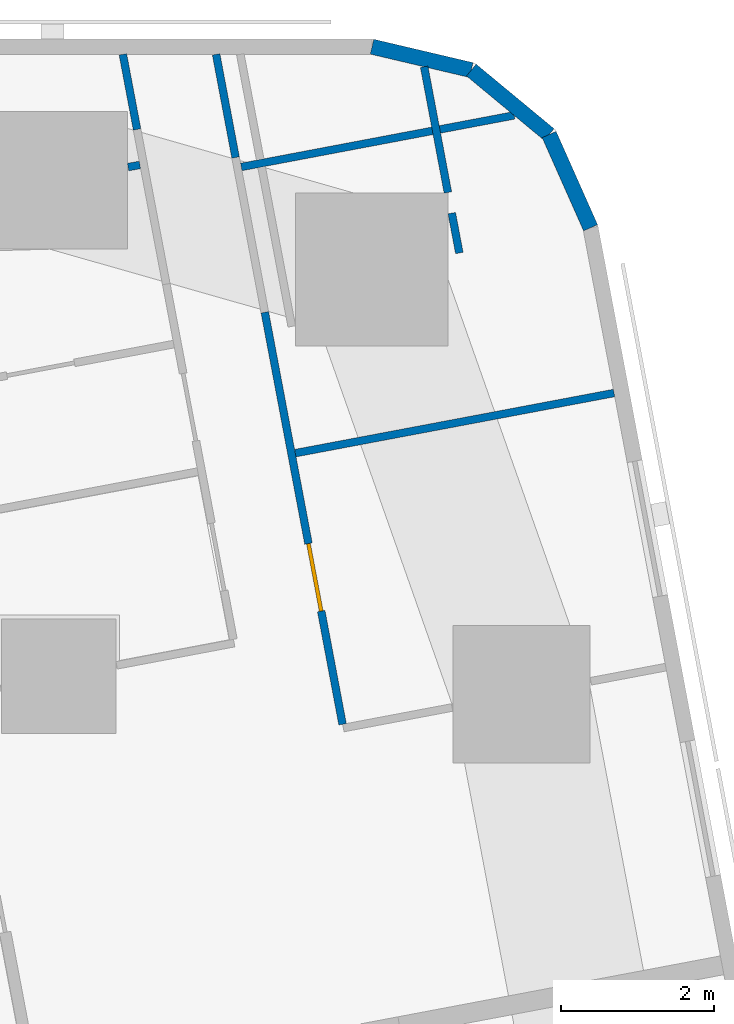
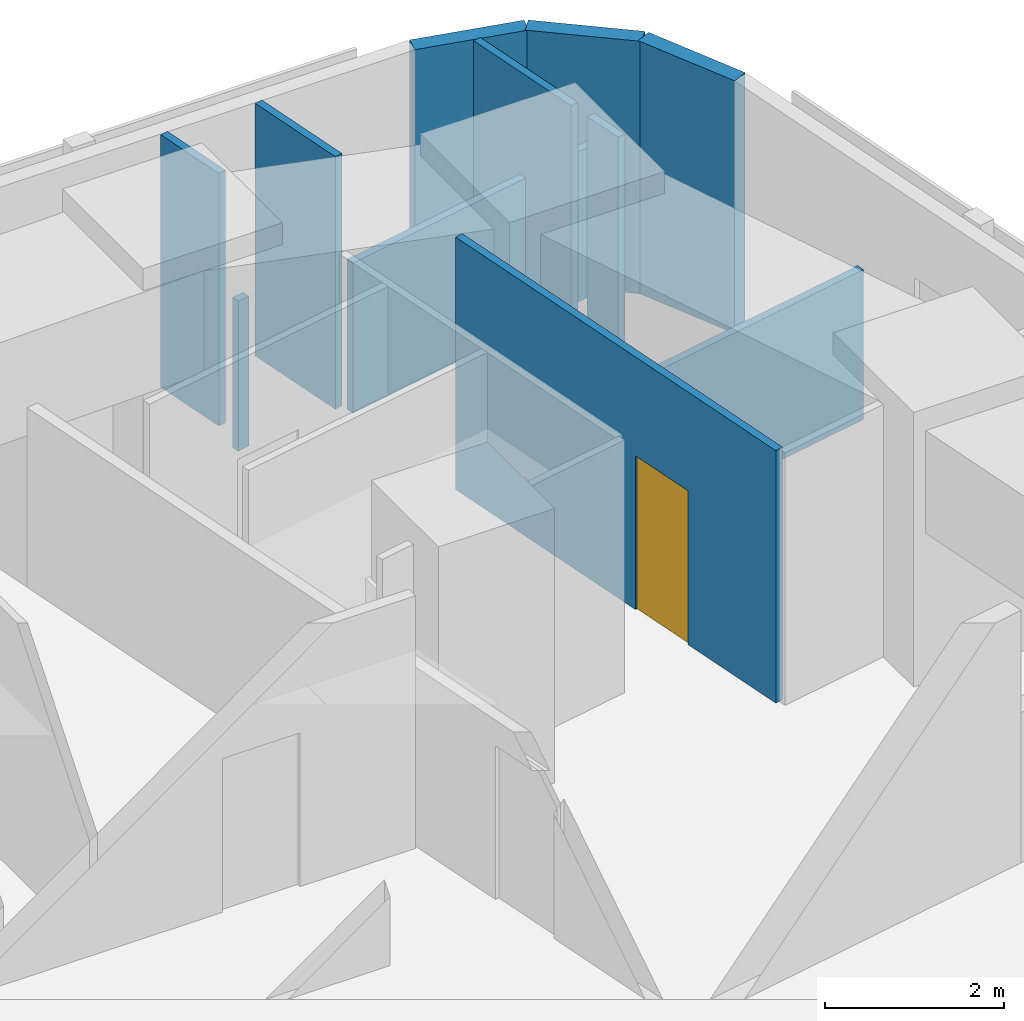
# One storey, part 11 of 15: 11 walls, 1 door, 1 opening.
"""IFC4 building model written with IfcOpenShell, lengths in metres."""

import ifcopenshell
import ifcopenshell.guid

model = None  # the IFC model being written
_history = None  # IfcOwnerHistory: only IFC2X3 demands one
_inside = {}  # id of a spatial element -> (the spatial element, [elements in it])
_under = {}  # id of a project, library or spatial element -> (it, [spatial elements below it])
_declared = {}  # id of a project -> (the project, [libraries it declares])
_typed = {}  # id of a type object -> (the type object, [elements of that type])
_made_of = {}  # id of a material, layer set ... -> (it, [elements and type objects made of it])


def new_model(schema):
    """Start an empty IFC model of exactly this schema.

    Asked for "IFC4X3", IfcOpenShell would pick the latest addendum, in which some entities
    have other attributes; the version numbers below select the first issue.
    IFC2X3 requires an IfcOwnerHistory on every rooted entity: one is made here for all.
    """
    global model, _history
    if schema == "IFC4X3":
        model = ifcopenshell.file(schema_version=(4, 3, 0, 0))
    else:
        model = ifcopenshell.file(schema=schema)
    _inside.clear()
    _under.clear()
    _declared.clear()
    _typed.clear()
    _made_of.clear()
    _history = None
    if model.schema == "IFC2X3":
        org = make("IfcOrganization", Name="unknown")
        user = make(
            "IfcPersonAndOrganization",
            ThePerson=make("IfcPerson", FamilyName="unknown"),
            TheOrganization=org,
        )
        app = make(
            "IfcApplication",
            ApplicationDeveloper=org,
            Version="unknown",
            ApplicationFullName="unknown",
            ApplicationIdentifier="unknown",
        )
        _history = make(
            "IfcOwnerHistory",
            OwningUser=user,
            OwningApplication=app,
            ChangeAction="ADDED",
            CreationDate=0,
        )
    return model


def make(cls, **values):
    """One entity of the class cls with the attributes given. An attribute that is None is left unset."""
    return model.create_entity(
        cls, **{name: value for name, value in values.items() if value is not None}
    )


def rooted(cls, **values):
    """An entity with a GlobalId (a new one), such as an element, a storey or a relation."""
    return make(cls, GlobalId=ifcopenshell.guid.new(), OwnerHistory=_history, **values)


def si_unit(unit_type, name, prefix=None):
    """IfcSIUnit, for example si_unit("LENGTHUNIT", "METRE", prefix="MILLI")."""
    return make("IfcSIUnit", UnitType=unit_type, Prefix=prefix, Name=name)


def assignment(units):
    """IfcUnitAssignment: the units of a project."""
    return None if units is None else make("IfcUnitAssignment", Units=units)


def point(xyz):
    """IfcCartesianPoint."""
    return None if xyz is None else make("IfcCartesianPoint", Coordinates=xyz)


def direction(xyz):
    """IfcDirection."""
    return None if xyz is None else make("IfcDirection", DirectionRatios=xyz)


def frame(location, z_axis=None, x_axis=None):
    """IfcAxis2Placement3D, a coordinate frame: its origin and axes. An axis left out is left unset."""
    return make(
        "IfcAxis2Placement3D",
        Location=point(location),
        Axis=direction(z_axis),
        RefDirection=direction(x_axis),
    )


def frame_2d(location, x_axis=None):
    """IfcAxis2Placement2D, a coordinate frame in the plane: its origin and x axis."""
    return make(
        "IfcAxis2Placement2D", Location=point(location), RefDirection=direction(x_axis)
    )


def origin():
    """The frame at (0, 0, 0) with its axes left unset."""
    return frame((0.0, 0.0, 0.0))


def place(relative_to, where):
    """IfcLocalPlacement: puts the frame where relative to a parent placement (None: the world)."""
    return make(
        "IfcLocalPlacement", PlacementRelTo=relative_to, RelativePlacement=where
    )


def context(
    kind, dimensions, precision=None, world=None, true_north=None, identifier=None
):
    """IfcGeometricRepresentationContext, for example the 3D "Model" context."""
    return make(
        "IfcGeometricRepresentationContext",
        ContextIdentifier=identifier,
        ContextType=kind,
        CoordinateSpaceDimension=dimensions,
        Precision=precision,
        WorldCoordinateSystem=world,
        TrueNorth=true_north,
    )


def subcontext(parent, identifier, kind, view, scale=None):
    """IfcGeometricRepresentationSubContext, for example "Body" below "Model"."""
    return make(
        "IfcGeometricRepresentationSubContext",
        ContextIdentifier=identifier,
        ContextType=kind,
        ParentContext=parent,
        TargetScale=scale,
        TargetView=view,
    )


def project(units=None, contexts=None):
    """IfcProject with its units and contexts."""
    return rooted(
        "IfcProject",
        Name="project",
        RepresentationContexts=contexts,
        UnitsInContext=assignment(units),
    )


def spatial(cls, under=None, at=None, **own):
    """A site, building, storey or space (cls), placed at a placement, below another one or the project."""
    s = rooted(cls, ObjectPlacement=at, **own)
    if under is not None:
        _under.setdefault(under.id(), (under, []))[1].append(s)
    return s


def profile(cls, at=None, kind="AREA", **sizes):
    """A parametric profile (cls). Its sizes go by their IFC names, for example OverallWidth=200.0."""
    return make(cls, ProfileType=kind, Position=at, **sizes)


def rectangle(**sizes):
    """IfcRectangleProfileDef."""
    return profile("IfcRectangleProfileDef", **sizes)


def extrude(swept, where, along, depth):
    """IfcExtrudedAreaSolid: the profile swept, set in the frame where, extruded along a direction by depth."""
    return make(
        "IfcExtrudedAreaSolid",
        SweptArea=swept,
        Position=where,
        ExtrudedDirection=direction(along),
        Depth=depth,
    )


def shape(context_of_items, identifier, shape_type, items):
    """IfcShapeRepresentation: the items that make up one representation, for example the "Body"."""
    return make(
        "IfcShapeRepresentation",
        ContextOfItems=context_of_items,
        RepresentationIdentifier=identifier,
        RepresentationType=shape_type,
        Items=items,
    )


def material(Name=None, Category=None):
    """IfcMaterial."""
    return make("IfcMaterial", Name=Name, Category=Category)


def layer(
    of_material, thickness, ventilated=None, Name=None, Category=None, Priority=None
):
    """IfcMaterialLayer: one layer of a wall or slab, of a material (None: an air gap)."""
    return make(
        "IfcMaterialLayer",
        Material=of_material,
        LayerThickness=thickness,
        IsVentilated=ventilated,
        Name=Name,
        Category=Category,
        Priority=Priority,
    )


def layer_set(layers, Name=None):
    """IfcMaterialLayerSet."""
    return make("IfcMaterialLayerSet", MaterialLayers=layers, LayerSetName=Name)


def made_of(thing, what):
    """Note that an element or type object is made of a material, layer set ...; save() writes the relation."""
    if what is not None:
        _made_of.setdefault(what.id(), (what, []))[1].append(thing)
    return thing


def type_object(cls, material=None, **own):
    """A type object (cls), such as IfcWallType, which elements share."""
    return made_of(rooted(cls, **own), material)


def element(
    cls,
    number,
    at=None,
    inside=None,
    cuts=None,
    type_object=None,
    material=None,
    context=None,
    identifier="Body",
    shape_type=None,
    held_by="IfcProductDefinitionShape",
    body=None,
    shapes=None,
    **own,
):
    """One element of the class cls, such as IfcWall. Its Tag is "e" and its number.

    at: its placement. inside: the storey or other place that contains it. cuts: it is an
    opening in that element (IfcRelVoidsElement). A single representation is given by context,
    identifier, shape_type and body (its items); several are given by shapes. held_by: the class
    of the entity that holds the representations. save() writes the other relations.
    """
    e = rooted(cls, Tag="e%d" % number, ObjectPlacement=at, **own)
    if body is not None:
        shapes = [shape(context, identifier, shape_type, body)]
    if shapes is not None:
        e.Representation = make(held_by, Representations=shapes)
    if inside is not None:
        _inside.setdefault(inside.id(), (inside, []))[1].append(e)
    if cuts is not None:
        rooted(
            "IfcRelVoidsElement", RelatingBuildingElement=cuts, RelatedOpeningElement=e
        )
    if type_object is not None:
        _typed.setdefault(type_object.id(), (type_object, []))[1].append(e)
    return made_of(e, material)


def fill(opening, filler):
    """IfcRelFillsElement: the door or window that sits in an opening."""
    return rooted(
        "IfcRelFillsElement",
        RelatingOpeningElement=opening,
        RelatedBuildingElement=filler,
    )


def aggregate(whole, parts):
    """IfcRelAggregates: a whole, such as a stair, and the parts it consists of."""
    return rooted("IfcRelAggregates", RelatingObject=whole, RelatedObjects=parts)


def save(model, path):
    """Write the relations noted so far, then the file.

    IfcRelAggregates (storeys below a building ...), IfcRelContainedInSpatialStructure (elements
    in a storey), IfcRelDefinesByType, IfcRelAssociatesMaterial and IfcRelDeclares: one each for
    every whole, place, type object, material and project.
    """
    for whole, parts in _under.values():
        aggregate(whole, parts)
    for where, things in _inside.values():
        rooted(
            "IfcRelContainedInSpatialStructure",
            RelatedElements=things,
            RelatingStructure=where,
        )
    for kind, things in _typed.values():
        rooted("IfcRelDefinesByType", RelatedObjects=things, RelatingType=kind)
    for what, things in _made_of.values():
        rooted("IfcRelAssociatesMaterial", RelatedObjects=things, RelatingMaterial=what)
    for by, libraries in _declared.values():
        rooted("IfcRelDeclares", RelatingContext=by, RelatedDefinitions=libraries)
    model.write(path)


model = new_model("IFC4")

# Units and contexts
model_context = context("Model", 3, precision=1e-05, world=origin(), true_north=direction((0.0, 1.0)))
body_context = subcontext(model_context, "Body", "Model", "MODEL_VIEW")
ifc_project = project(units=[si_unit("LENGTHUNIT", "METRE"), si_unit("AREAUNIT", "SQUARE_METRE"), si_unit("VOLUMEUNIT", "CUBIC_METRE"), si_unit("PLANEANGLEUNIT", "RADIAN"), si_unit("MASSUNIT", "GRAM", prefix="KILO")], contexts=[model_context])

# Site, building, storey
site_placement = place(None, origin())
site = spatial("IfcSite", under=ifc_project, at=site_placement, CompositionType="ELEMENT")
building_placement = place(site_placement, origin())
building = spatial("IfcBuilding", under=site, at=building_placement, Name="Sheger Commons Tower", CompositionType="ELEMENT")
storey_placement = place(building_placement, frame((0.0, 0.0, 184.550048828125)))
storey = spatial("IfcBuildingStorey", under=building, at=storey_placement, Name="L47", CompositionType="ELEMENT", Elevation=184.550048828125)

# Walls
ifc_material_1 = material(Name="Rendered concrete block masonry, dark grey", Category="masonry")
ifc_layer_1 = layer(ifc_material_1, 0.199951171875)
ifc_layer_set_1 = layer_set([ifc_layer_1], Name="FACADE WALL 200")
wall_type_1 = type_object("IfcWallType", Name="FACADE WALL 200", PredefinedType="SOLIDWALL", material=ifc_layer_set_1)
wall_1_placement = place(storey_placement, frame((42.969970703125, 43.376953125, 0.0), z_axis=(0.0, 0.0, 1.0), x_axis=(-0.406002956633, 0.913871762998, 0.0)))
element("IfcWall", 1, at=wall_1_placement, inside=storey, type_object=wall_type_1, Name="Facade wall L47", PredefinedType="SOLIDWALL", context=body_context, shape_type="SweptSolid", body=[
    extrude(rectangle(XDim=1.33740234375, YDim=0.199951171875, at=frame_2d((0.668701171875, 0.0))), origin(), (0.0, 0.0, 1.0), 3.449951171875),
])
wall_2_placement = place(storey_placement, frame((42.427001953125, 44.59912109375, 0.0), z_axis=(0.0, 0.0, 1.0), x_axis=(-0.770091412544, 0.637933551655, 0.0)))
element("IfcWall", 2, at=wall_2_placement, inside=storey, type_object=wall_type_1, Name="Facade wall L47", PredefinedType="SOLIDWALL", context=body_context, shape_type="SweptSolid", body=[
    extrude(rectangle(XDim=1.324462890625, YDim=0.199951171875, at=frame_2d((0.662109375, 0.0))), origin(), (0.0, 0.0, 1.0), 3.449951171875),
])
wall_3_placement = place(storey_placement, frame((41.406982421875, 45.444091796875, 0.0), z_axis=(0.0, 0.0, 1.0), x_axis=(-0.973453091607, 0.228886606077, 0.0)))
element("IfcWall", 3, at=wall_3_placement, inside=storey, type_object=wall_type_1, Name="Facade wall L47", PredefinedType="SOLIDWALL", context=body_context, shape_type="SweptSolid", body=[
    extrude(rectangle(XDim=1.33642578125, YDim=0.199951171875, at=frame_2d((0.668212890625, 0.0))), origin(), (0.0, 0.0, 1.0), 3.449951171875),
])
ifc_material_2 = material(Name="Gypsum board on steel studs", Category="steel")
ifc_layer_2 = layer(ifc_material_2, 0.10009765625)
ifc_layer_set_2 = layer_set([ifc_layer_2], Name="PARTITION 100")
wall_type_2 = type_object("IfcWallType", Name="PARTITION 100", PredefinedType="PARTITIONING", material=ifc_layer_set_2)
wall_4_placement = place(storey_placement, frame((40.7890625, 45.487060546875, 0.0), z_axis=(0.0, 0.0, 1.0), x_axis=(0.185572395193, -0.982630594955, 0.0)))
element("IfcWall", 4, at=wall_4_placement, inside=storey, type_object=wall_type_2, Name="Partition L47", PredefinedType="PARTITIONING", context=body_context, shape_type="SweptSolid", body=[
    extrude(rectangle(XDim=1.676025390625, YDim=0.10009765625, at=frame_2d((0.837890625, 0.0))), origin(), (0.0, 0.0, 1.0), 3.449951171875),
])
wall_5_placement = place(storey_placement, frame((41.15087890625, 43.569091796875, 0.0), z_axis=(0.0, 0.0, 1.0), x_axis=(0.186563073924, -0.982442985342, 0.0)))
element("IfcWall", 5, at=wall_5_placement, inside=storey, type_object=wall_type_2, Name="Partition L47", PredefinedType="PARTITIONING", context=body_context, shape_type="SweptSolid", body=[
    extrude(rectangle(XDim=0.53125, YDim=0.10009765625, at=frame_2d((0.265625, 0.0))), origin(), (0.0, 0.0, 1.0), 3.449951171875),
])
wall_6_placement = place(storey_placement, frame((38.06298828125, 45.64990234375, 0.0), z_axis=(0.0, 0.0, 1.0), x_axis=(0.185456359766, -0.982652501458, 0.0)))
element("IfcWall", 6, at=wall_6_placement, inside=storey, type_object=wall_type_2, Name="Partition L47", PredefinedType="PARTITIONING", context=body_context, shape_type="SweptSolid", body=[
    extrude(rectangle(XDim=1.375732421875, YDim=0.10009765625, at=frame_2d((0.68798828125, 0.0))), origin(), (0.0, 0.0, 1.0), 3.449951171875),
])

# Wall, opening, door
wall_7_placement = place(storey_placement, frame((38.700927734375, 42.27001953125, 0.0), z_axis=(0.0, 0.0, 1.0), x_axis=(0.185474244877, -0.982649125826, 0.0)))
wall_7 = element("IfcWall", 7, at=wall_7_placement, inside=storey, type_object=wall_type_2, Name="Partition L47", PredefinedType="PARTITIONING", context=body_context, shape_type="SweptSolid", body=[
    extrude(rectangle(XDim=5.494140625, YDim=0.10009765625, at=frame_2d((2.7470703125, 0.0))), origin(), (0.0, 0.0, 1.0), 3.449951171875),
])
opening_placement = place(wall_7_placement, frame((3.0849609375, 0.0, 0.0)))
opening = element("IfcOpeningElement", 8, at=opening_placement, cuts=wall_7, Name="Opening D2", PredefinedType="OPENING", context=body_context, shape_type="SweptSolid", body=[
    extrude(rectangle(XDim=0.89990234375, YDim=2.10009765625, at=frame_2d((0.449951171875, 1.050048828125))), frame((0.0, 0.06005859375, 0.0), z_axis=(0.0, -1.0, 0.0), x_axis=(1.0, 0.0, 0.0)), (0.0, 0.0, 1.0), 0.1201171875),
])
ifc_material_3 = material(Name="Timber door set", Category="wood")
door_type = type_object("IfcDoorType", Name="INTERNAL DOOR 900x2100", OperationType="NOTDEFINED", PredefinedType="DOOR", material=ifc_material_3)
door_placement = place(opening_placement, origin())
door = element("IfcDoor", 9, at=door_placement, inside=storey, type_object=door_type, Name="Main bedroom door", OperationType="SINGLE_SWING_LEFT", OverallHeight=2.10009765625, OverallWidth=0.89990234375, PredefinedType="DOOR", context=body_context, shape_type="SweptSolid", body=[
    extrude(rectangle(XDim=0.89990234375, YDim=2.10009765625, at=frame_2d((0.449951171875, 1.050048828125))), frame((0.0, 0.02490234375, 0.0), z_axis=(0.0, -1.0, 0.0), x_axis=(1.0, 0.0, 0.0)), (0.0, 0.0, 1.0), 0.050048828125),
])
fill(opening, door)

# Walls
wall_8_placement = place(storey_placement, frame((36.841064453125, 45.64990234375, 0.0), z_axis=(0.0, 0.0, 1.0), x_axis=(0.185789875365, -0.982589498322, 0.0)))
element("IfcWall", 10, at=wall_8_placement, inside=storey, type_object=wall_type_2, Name="Partition L47", PredefinedType="PARTITIONING", context=body_context, shape_type="SweptSolid", body=[
    extrude(rectangle(XDim=1.001220703125, YDim=0.10009765625, at=frame_2d((0.50048828125, 0.0))), origin(), (0.0, 0.0, 1.0), 3.449951171875),
])
wall_9_placement = place(storey_placement, frame((41.968017578125, 44.85009765625, 0.0), z_axis=(0.0, 0.0, 1.0), x_axis=(-0.98258614234, -0.185807623311, 0.0)))
element("IfcWall", 11, at=wall_9_placement, inside=storey, type_object=wall_type_2, Name="Partition L47", PredefinedType="PARTITIONING", context=body_context, shape_type="SweptSolid", body=[
    extrude(rectangle(XDim=3.638427734375, YDim=0.10009765625, at=frame_2d((1.8193359375, 0.0))), origin(), (0.0, 0.0, 1.0), 2.050048828125),
])
wall_10_placement = place(storey_placement, frame((43.277099609375, 41.2119140625, 0.0), z_axis=(0.0, 0.0, 1.0), x_axis=(-0.982665405803, -0.185387972203, 0.0)))
element("IfcWall", 12, at=wall_10_placement, inside=storey, type_object=wall_type_2, Name="Partition L47", PredefinedType="PARTITIONING", context=body_context, shape_type="SweptSolid", body=[
    extrude(rectangle(XDim=4.249755859375, YDim=0.10009765625, at=frame_2d((2.125, 0.0))), origin(), (0.0, 0.0, 1.0), 2.050048828125),
])
wall_11_placement = place(storey_placement, frame((37.06396484375, 44.200927734375, 0.0), z_axis=(0.0, 0.0, 1.0), x_axis=(-0.982960250751, -0.183818240236, 0.0)))
element("IfcWall", 13, at=wall_11_placement, inside=storey, type_object=wall_type_2, Name="Partition L47", PredefinedType="PARTITIONING", context=body_context, shape_type="SweptSolid", body=[
    extrude(rectangle(XDim=0.15673828125, YDim=0.10009765625, at=frame_2d((0.078369140625, 0.0))), origin(), (0.0, 0.0, 1.0), 2.050048828125),
])

save(model, "model.ifc")
